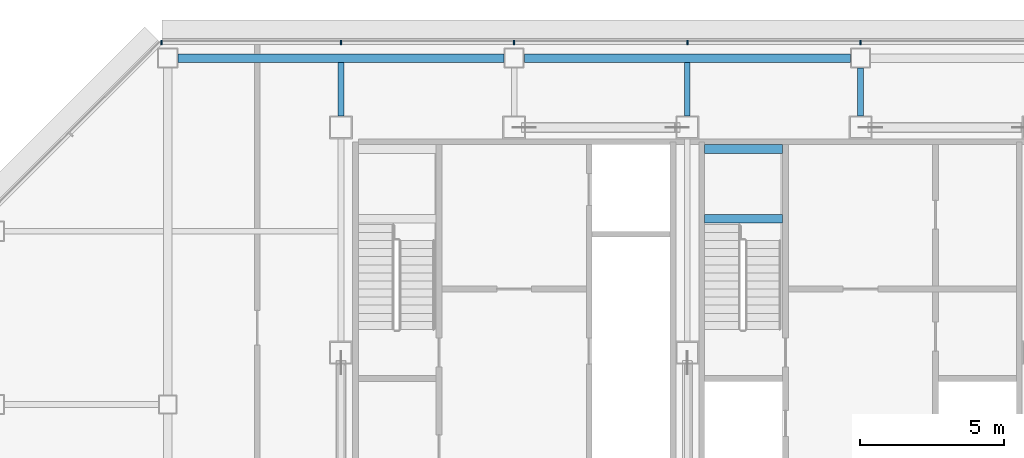
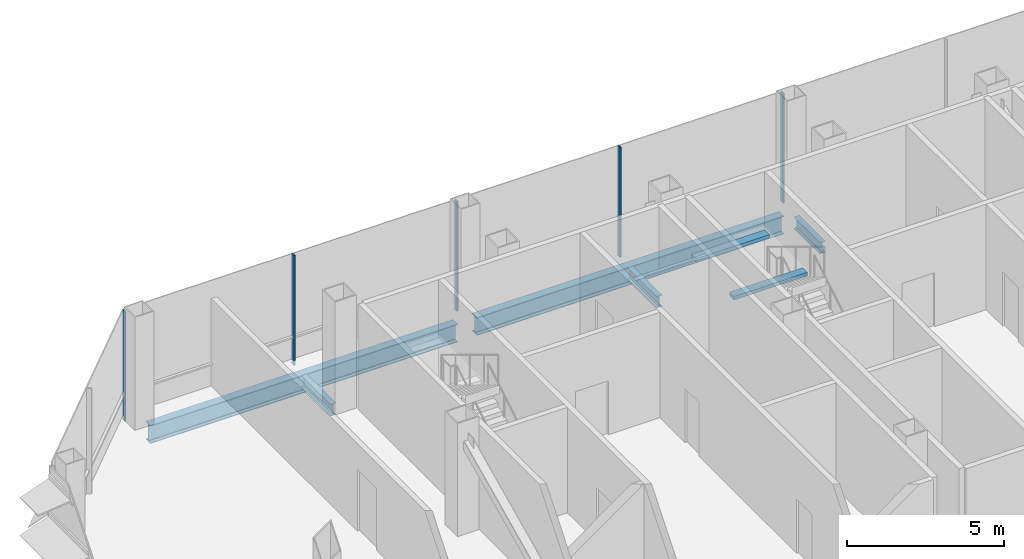
# One storey, part 12 of 26: 7 beams, 5 members, 1 element without a shape of its own.
"""IFC4 building model written with IfcOpenShell, lengths in metres."""

from ifc_helpers import new_model, si_unit, direction, frame, origin, origin_2d, place, context, subcontext, project, spatial, rectangle, i_section, extrude, material, material_profile, profile_set, type_object, element, aggregate, save


model = new_model("IFC4")

# Units and contexts
model_context = context("Model", 3, precision=1e-05, world=origin(), true_north=direction((0.0, 1.0)))
body_context = subcontext(model_context, "Body", "Model", "MODEL_VIEW")
ifc_project = project(units=[si_unit("LENGTHUNIT", "METRE"), si_unit("AREAUNIT", "SQUARE_METRE"), si_unit("VOLUMEUNIT", "CUBIC_METRE"), si_unit("PLANEANGLEUNIT", "RADIAN"), si_unit("MASSUNIT", "GRAM", prefix="KILO")], contexts=[model_context])

# Site, building, storey
site_placement = place(None, origin())
site = spatial("IfcSite", under=ifc_project, at=site_placement, CompositionType="ELEMENT")
building_placement = place(site_placement, origin())
building = spatial("IfcBuilding", under=site, at=building_placement, Name="Sorahane Residences", CompositionType="ELEMENT")
storey_placement = place(building_placement, frame((0.0, 0.0, 181.60009765625)))
storey = spatial("IfcBuildingStorey", under=building, at=storey_placement, Name="L42", CompositionType="ELEMENT", Elevation=181.60009765625)

# Curtain wall, members
ifc_material_1 = material(Name="Dark low-e glass and black anodised aluminium", Category="aluminium")
curtain_wall_type = type_object("IfcCurtainWallType", Name="Curtain wall CW-1 Typical unitised wall", PredefinedType="NOTDEFINED", material=ifc_material_1)
curtain_wall_placement = place(storey_placement, origin())
curtain_wall = element("IfcCurtainWall", 1, at=curtain_wall_placement, inside=storey, type_object=curtain_wall_type, Name="CW-1 curtain wall L42 N1", PredefinedType="NOTDEFINED")
ifc_material_2 = material(Name="Black anodised aluminium", Category="aluminium")
ifc_material_profile_1 = material_profile(ifc_material_2, rectangle(XDim=0.159912109375, YDim=0.050048828125, at=origin_2d()), Name="Curtain wall mullion CW-1 black anodised aluminium 50x160")
ifc_profile_set_1 = profile_set([ifc_material_profile_1], Name="Black anodised aluminium")
member_type = type_object("IfcMemberType", Name="Curtain wall mullion CW-1 black anodised aluminium 50x160", PredefinedType="MULLION", material=ifc_profile_set_1)
member_1_placement = place(storey_placement, frame((24.0, 48.5400390625, -0.18017578125), z_axis=(0.0, 0.0, 1.0), x_axis=(0.0, 1.0, 0.0)))
member_1 = element("IfcMember", 2, at=member_1_placement, type_object=member_type, Name="CW-1 mullion L42 N1.6", PredefinedType="MULLION", context=body_context, shape_type="SweptSolid", body=[
    extrude(rectangle(XDim=0.159912109375, YDim=0.050048828125, at=origin_2d()), origin(), (0.0, 0.0, 1.0), 4.280029296875),
])
member_2_placement = place(storey_placement, frame((18.0, 48.5400390625, -0.18017578125), z_axis=(0.0, 0.0, 1.0), x_axis=(0.0, 1.0, 0.0)))
member_2 = element("IfcMember", 3, at=member_2_placement, type_object=member_type, Name="CW-1 mullion L42 N1.7", PredefinedType="MULLION", context=body_context, shape_type="SweptSolid", body=[
    extrude(rectangle(XDim=0.159912109375, YDim=0.050048828125, at=origin_2d()), origin(), (0.0, 0.0, 1.0), 4.280029296875),
])
member_3_placement = place(storey_placement, frame((12.0, 48.5400390625, -0.18017578125), z_axis=(0.0, 0.0, 1.0), x_axis=(0.0, 1.0, 0.0)))
member_3 = element("IfcMember", 4, at=member_3_placement, type_object=member_type, Name="CW-1 mullion L42 N1.8", PredefinedType="MULLION", context=body_context, shape_type="SweptSolid", body=[
    extrude(rectangle(XDim=0.159912109375, YDim=0.050048828125, at=origin_2d()), origin(), (0.0, 0.0, 1.0), 4.280029296875),
])
member_4_placement = place(storey_placement, frame((6.0, 48.5400390625, -0.18017578125), z_axis=(0.0, 0.0, 1.0), x_axis=(0.0, 1.0, 0.0)))
member_4 = element("IfcMember", 5, at=member_4_placement, type_object=member_type, Name="CW-1 mullion L42 N1.9", PredefinedType="MULLION", context=body_context, shape_type="SweptSolid", body=[
    extrude(rectangle(XDim=0.159912109375, YDim=0.050048828125, at=origin_2d()), origin(), (0.0, 0.0, 1.0), 4.280029296875),
])
member_5_placement = place(storey_placement, frame((-0.2236328125, 48.5400390625, -0.18017578125), z_axis=(0.0, 0.0, 1.0), x_axis=(0.0, 1.0, 0.0)))
member_5 = element("IfcMember", 6, at=member_5_placement, type_object=member_type, Name="CW-1 mullion L42 N1.10", PredefinedType="MULLION", context=body_context, shape_type="SweptSolid", body=[
    extrude(rectangle(XDim=0.159912109375, YDim=0.050048828125, at=origin_2d()), origin(), (0.0, 0.0, 1.0), 4.280029296875),
])
aggregate(curtain_wall, [member_1, member_2, member_3, member_4, member_5])

# Beams
ifc_material_3 = material(Name="Concrete C40", Category="concrete")
ifc_material_profile_2 = material_profile(ifc_material_3, rectangle(XDim=0.300048828125, YDim=0.139892578125, at=origin_2d()), Name="300x140")
ifc_profile_set_2 = profile_set([ifc_material_profile_2], Name="Concrete C40")
beam_type_1 = type_object("IfcBeamType", Name="RC landing beam 300 x 140 Concrete C40", PredefinedType="BEAM", material=ifc_profile_set_2)
for number, where, z_axis, x_axis, name in (
    (7, (18.60009765625, 42.429931640625, 1.7607421875), (1.0, 0.0, 0.0), (0.0, 1.0, 0.0), "Landing beam"),
    (8, (18.60009765625, 44.85009765625, 1.7607421875), (1.0, 0.0, 0.0), (0.0, 1.0, 0.0), "Landing beam"),
):
    element("IfcBeam", number, at=place(storey_placement, frame(where, z_axis=z_axis, x_axis=x_axis)), inside=storey, type_object=beam_type_1, Name=name, PredefinedType="BEAM", context=body_context, shape_type="SweptSolid", body=[
        extrude(rectangle(XDim=0.300048828125, YDim=0.139892578125, at=origin_2d()), origin(), (0.0, 0.0, 1.0), 2.699951171875),
    ])
ifc_material_4 = material(Name="Steel Q355B", Category="steel")
ifc_material_profile_3 = material_profile(ifc_material_4, i_section(OverallWidth=0.199951171875, OverallDepth=0.449951171875, WebThickness=0.009033203125, FlangeThickness=0.013916015625, FilletRadius=0.02001953125, at=origin_2d()), Name="HN 450x200x9x14")
ifc_profile_set_3 = profile_set([ifc_material_profile_3], Name="Steel Q355B")
beam_type_2 = type_object("IfcBeamType", Name="Steel floor beam HN 450x200x9x14 Q355B", PredefinedType="BEAM", material=ifc_profile_set_3)
for number, where, z_axis, x_axis, name in (
    (9, (6.0, 46.0, -0.405029296875), (0.0, 1.0, 0.0), (-1.0, 0.0, 0.0), "Beam L42 033"),
    (10, (18.0, 46.0, -0.405029296875), (0.0, 1.0, 0.0), (-1.0, 0.0, 0.0), "Beam L42 041"),
):
    element("IfcBeam", number, at=place(storey_placement, frame(where, z_axis=z_axis, x_axis=x_axis)), inside=storey, type_object=beam_type_2, Name=name, PredefinedType="BEAM", context=body_context, shape_type="SweptSolid", body=[
        extrude(i_section(OverallWidth=0.199951171875, OverallDepth=0.449951171875, WebThickness=0.009033203125, FlangeThickness=0.013916015625, FilletRadius=0.02001953125, at=origin_2d()), origin(), (0.0, 0.0, 1.0), 1.85009765625),
    ])
beam_placement = place(storey_placement, frame((24.0, 46.0, -0.405029296875), z_axis=(0.0, 1.0, 0.0), x_axis=(-1.0, 0.0, 0.0)))
element("IfcBeam", 11, at=beam_placement, inside=storey, type_object=beam_type_2, Name="Beam L42 043", PredefinedType="BEAM", context=body_context, shape_type="SweptSolid", body=[
    extrude(i_section(OverallWidth=0.199951171875, OverallDepth=0.449951171875, WebThickness=0.009033203125, FlangeThickness=0.013916015625, FilletRadius=0.02001953125, at=origin_2d()), origin(), (0.0, 0.0, 1.0), 1.64990234375),
])
ifc_material_5 = material(Name="Steel Q355B", Category="steel")
ifc_material_profile_4 = material_profile(ifc_material_5, i_section(OverallWidth=0.300048828125, OverallDepth=0.699951171875, WebThickness=0.012939453125, FlangeThickness=0.02392578125, FilletRadius=0.028076171875, at=origin_2d()), Name="HN 700x300x13x24")
ifc_profile_set_4 = profile_set([ifc_material_profile_4], Name="Steel Q355B")
beam_type_3 = type_object("IfcBeamType", Name="Steel floor beam HN 700x300x13x24 Q355B", PredefinedType="BEAM", material=ifc_profile_set_4)
for number, where, z_axis, x_axis, name in (
    (12, (0.35009765625, 48.0, -0.530029296875), (1.0, 0.0, 0.0), (0.0, 1.0, 0.0), "Beam L42 015"),
    (13, (12.35009765625, 48.0, -0.530029296875), (1.0, 0.0, 0.0), (0.0, 1.0, 0.0), "Beam L42 016"),
):
    element("IfcBeam", number, at=place(storey_placement, frame(where, z_axis=z_axis, x_axis=x_axis)), inside=storey, type_object=beam_type_3, Name=name, PredefinedType="BEAM", context=body_context, shape_type="SweptSolid", body=[
        extrude(i_section(OverallWidth=0.300048828125, OverallDepth=0.699951171875, WebThickness=0.012939453125, FlangeThickness=0.02392578125, FilletRadius=0.028076171875, at=origin_2d()), origin(), (0.0, 0.0, 1.0), 11.2998046875),
    ])

save(model, "model.ifc")
